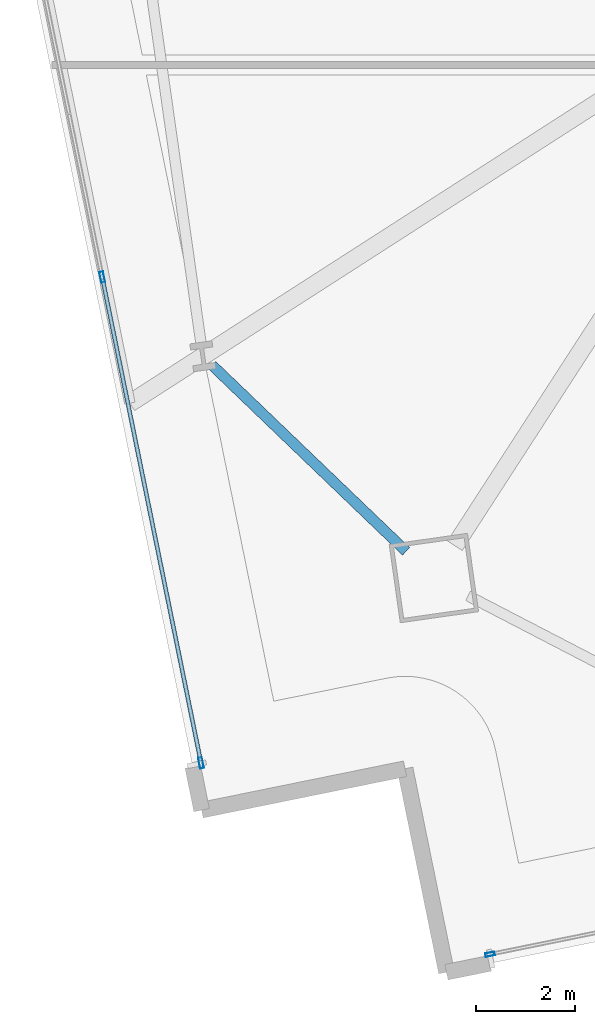
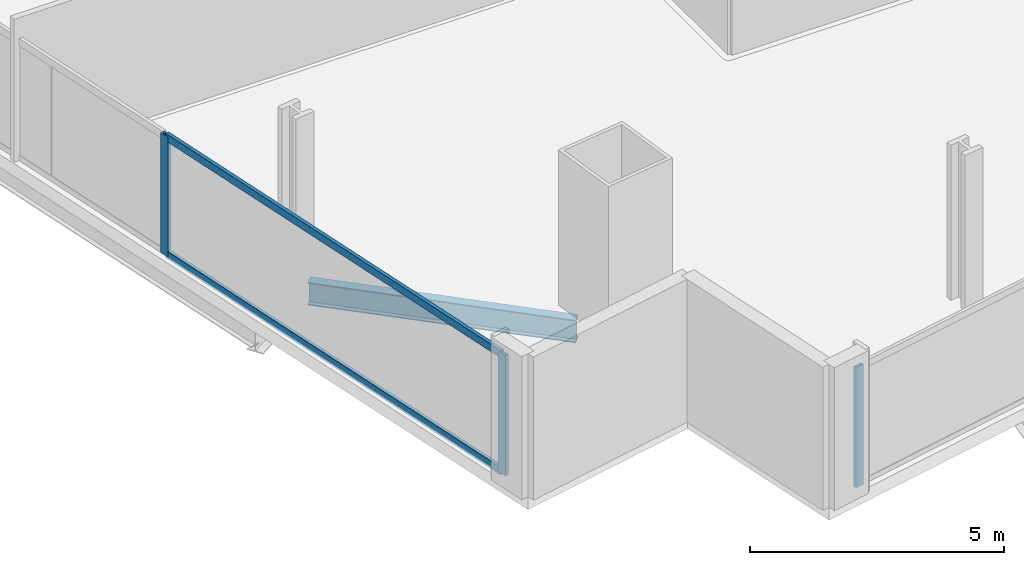
# One storey, part 2 of 33: 5 members, 1 beam, 2 elements without a shape of their own.
"""IFC4 building model written with IfcOpenShell, lengths in metres."""

from ifc_helpers import new_model, si_unit, direction, frame, origin, origin_2d, place, context, subcontext, project, spatial, hollow_rectangle, i_section, extrude, material, material_profile, profile_set, type_object, element, aggregate, save


model = new_model("IFC4")

# Units and contexts
model_context = context("Model", 3, precision=1e-05, world=origin(), true_north=direction((0.0, 1.0)))
body_context = subcontext(model_context, "Body", "Model", "MODEL_VIEW")
ifc_project = project(units=[si_unit("LENGTHUNIT", "METRE"), si_unit("AREAUNIT", "SQUARE_METRE"), si_unit("VOLUMEUNIT", "CUBIC_METRE"), si_unit("PLANEANGLEUNIT", "RADIAN"), si_unit("MASSUNIT", "GRAM", prefix="KILO")], contexts=[model_context])

# Site, building, storey
site_placement = place(None, origin())
site = spatial("IfcSite", under=ifc_project, at=site_placement, CompositionType="ELEMENT")
building_placement = place(site_placement, origin())
building = spatial("IfcBuilding", under=site, at=building_placement, Name="Haldenkirk Collegiate Tower", CompositionType="ELEMENT")
storey_placement = place(building_placement, frame((0.0, 0.0, 66.449951171875)))
storey = spatial("IfcBuildingStorey", under=building, at=storey_placement, Name="L15", CompositionType="ELEMENT", Elevation=66.449951171875)

# Beam
ifc_material_1 = material(Name="Steel ASTM A992 Grade 50", Category="steel")
ifc_material_profile_1 = material_profile(ifc_material_1, i_section(OverallWidth=0.2119140625, OverallDepth=0.5439453125, WebThickness=0.01318359375, FlangeThickness=0.021240234375, at=origin_2d()), Name="W21X83")
ifc_profile_set_1 = profile_set([ifc_material_profile_1], Name="Steel ASTM A992 Grade 50")
beam_type = type_object("IfcBeamType", Name="BM-SPANDREL-W21X83", PredefinedType="SPANDREL", material=ifc_profile_set_1)
beam_placement = place(storey_placement, frame((14.212890625, 9.47412109375, -0.58203125), z_axis=(0.721492362326, -0.692422393561, 0.0), x_axis=(0.692422393561, 0.721492362326, 0.0)))
element("IfcBeam", 1, at=beam_placement, inside=storey, type_object=beam_type, Name="L15 perimeter spandrel beam 16", PredefinedType="SPANDREL", context=body_context, shape_type="SweptSolid", body=[
    extrude(i_section(OverallWidth=0.2119140625, OverallDepth=0.5439453125, WebThickness=0.01318359375, FlangeThickness=0.021240234375, at=origin_2d()), origin(), (0.0, 0.0, 1.0), 5.433837890625),
])

# Curtain wall, member
ifc_material_2 = material(Name="Anodised architectural bronze aluminium", Category="aluminium")
curtain_wall_type_1 = type_object("IfcCurtainWallType", Name="CW-SYS2-CONCAVE", PredefinedType="USERDEFINED", material=ifc_material_2)
curtain_wall_1_placement = place(storey_placement, origin())
curtain_wall_1 = element("IfcCurtainWall", 2, at=curtain_wall_1_placement, inside=storey, type_object=curtain_wall_type_1, Name="L15 South concave recessed bronze-anodised curtain wall", ObjectType="UNITISED CURTAIN WALL", PredefinedType="USERDEFINED")
ifc_material_profile_2 = material_profile(ifc_material_2, hollow_rectangle(XDim=0.074951171875, YDim=0.18994140625, WallThickness=0.0048828125, at=origin_2d()), Name="CW-MUL-02")
ifc_profile_set_2 = profile_set([ifc_material_profile_2], Name="Anodised architectural bronze aluminium")
member_type_1 = type_object("IfcMemberType", Name="CW-MUL-02", PredefinedType="MULLION", material=ifc_profile_set_2)
member_1_placement = place(storey_placement, frame((19.832763671875, -2.439208984375, 0.0), z_axis=(0.0, 0.0, 1.0), x_axis=(0.199368665738, -0.979924555832, 0.0)))
member_1 = element("IfcMember", 3, at=member_1_placement, type_object=member_type_1, Name="CW-02 mullion 5", PredefinedType="MULLION", context=body_context, shape_type="SweptSolid", body=[
    extrude(hollow_rectangle(XDim=0.074951171875, YDim=0.18994140625, WallThickness=0.0048828125, at=origin_2d()), origin(), (0.0, 0.0, 1.0), 2.89111328125),
])
aggregate(curtain_wall_1, [member_1])

# Curtain wall, members
curtain_wall_type_2 = type_object("IfcCurtainWallType", Name="CW-SYS1-CONVEX-LOW", PredefinedType="USERDEFINED", material=ifc_material_2)
curtain_wall_2_placement = place(storey_placement, origin())
curtain_wall_2 = element("IfcCurtainWall", 4, at=curtain_wall_2_placement, inside=storey, type_object=curtain_wall_type_2, Name="L15 Lower tower convex bronze-framed unitised curtain wall", ObjectType="UNITISED CURTAIN WALL", PredefinedType="USERDEFINED")
ifc_material_profile_3 = material_profile(ifc_material_2, hollow_rectangle(XDim=0.080078125, YDim=0.219970703125, WallThickness=0.0048828125, at=origin_2d()), Name="CW-MUL-1A")
ifc_profile_set_3 = profile_set([ifc_material_profile_3], Name="Anodised architectural bronze aluminium")
member_type_2 = type_object("IfcMemberType", Name="CW-MUL-1A", PredefinedType="MULLION", material=ifc_profile_set_3)
member_2_placement = place(storey_placement, frame((13.986083984375, 1.432861328125, 0.0), z_axis=(0.0, 0.0, 1.0), x_axis=(-0.979924462932, -0.199369122351, 0.0)))
member_2 = element("IfcMember", 5, at=member_2_placement, type_object=member_type_2, Name="CW-1A mullion 1", PredefinedType="MULLION", context=body_context, shape_type="SweptSolid", body=[
    extrude(hollow_rectangle(XDim=0.080078125, YDim=0.219970703125, WallThickness=0.0048828125, at=origin_2d()), origin(), (0.0, 0.0, 1.0), 2.89111328125),
])
member_3_placement = place(storey_placement, frame((11.986572265625, 11.26025390625, 0.0), z_axis=(0.0, 0.0, 1.0), x_axis=(-0.979924462932, -0.199369122351, 0.0)))
member_3 = element("IfcMember", 6, at=member_3_placement, type_object=member_type_2, Name="CW-1A mullion 2", PredefinedType="MULLION", context=body_context, shape_type="SweptSolid", body=[
    extrude(hollow_rectangle(XDim=0.080078125, YDim=0.219970703125, WallThickness=0.0048828125, at=origin_2d()), origin(), (0.0, 0.0, 1.0), 2.89111328125),
])
ifc_material_profile_4 = material_profile(ifc_material_2, hollow_rectangle(XDim=0.080078125, YDim=0.179931640625, WallThickness=0.0048828125, at=origin_2d()), Name="CW-TRN-1A")
ifc_profile_set_4 = profile_set([ifc_material_profile_4], Name="Anodised architectural bronze aluminium")
member_type_3 = type_object("IfcMemberType", Name="CW-TRN-1A", PredefinedType="USERDEFINED", material=ifc_profile_set_4)
member_4_placement = place(storey_placement, frame((13.97802734375, 1.47216796875, 0.0400390625), z_axis=(-0.199361873148, 0.979925937781, 0.0), x_axis=(-0.979925937781, -0.199361873148, 0.0)))
member_4 = element("IfcMember", 7, at=member_4_placement, type_object=member_type_3, Name="CW-1A transom 1.1", ObjectType="TRANSOM", PredefinedType="USERDEFINED", context=body_context, shape_type="SweptSolid", body=[
    extrude(hollow_rectangle(XDim=0.080078125, YDim=0.179931640625, WallThickness=0.0048828125, at=origin_2d()), origin(), (0.0, 0.0, 1.0), 9.94873046875),
])
member_5_placement = place(storey_placement, frame((13.97802734375, 1.47216796875, 2.85107421875), z_axis=(-0.199361873148, 0.979925937781, 0.0), x_axis=(-0.979925937781, -0.199361873148, 0.0)))
member_5 = element("IfcMember", 8, at=member_5_placement, type_object=member_type_3, Name="CW-1A transom 1.2", ObjectType="TRANSOM", PredefinedType="USERDEFINED", context=body_context, shape_type="SweptSolid", body=[
    extrude(hollow_rectangle(XDim=0.080078125, YDim=0.179931640625, WallThickness=0.0048828125, at=origin_2d()), origin(), (0.0, 0.0, 1.0), 9.94873046875),
])
aggregate(curtain_wall_2, [member_2, member_3, member_4, member_5])

save(model, "model.ifc")
